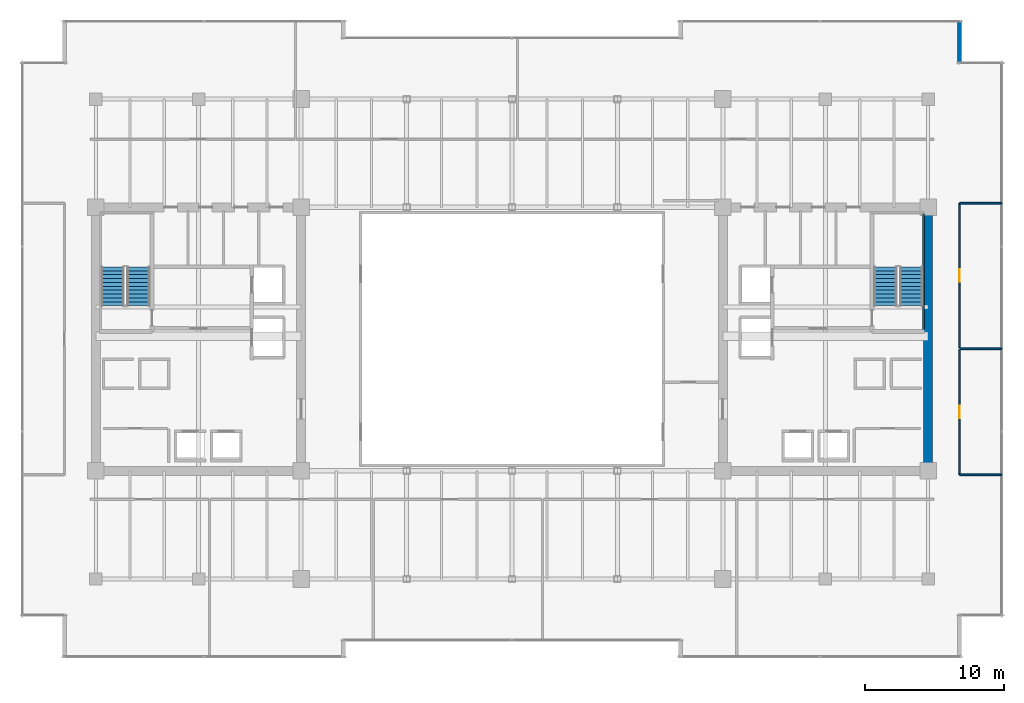
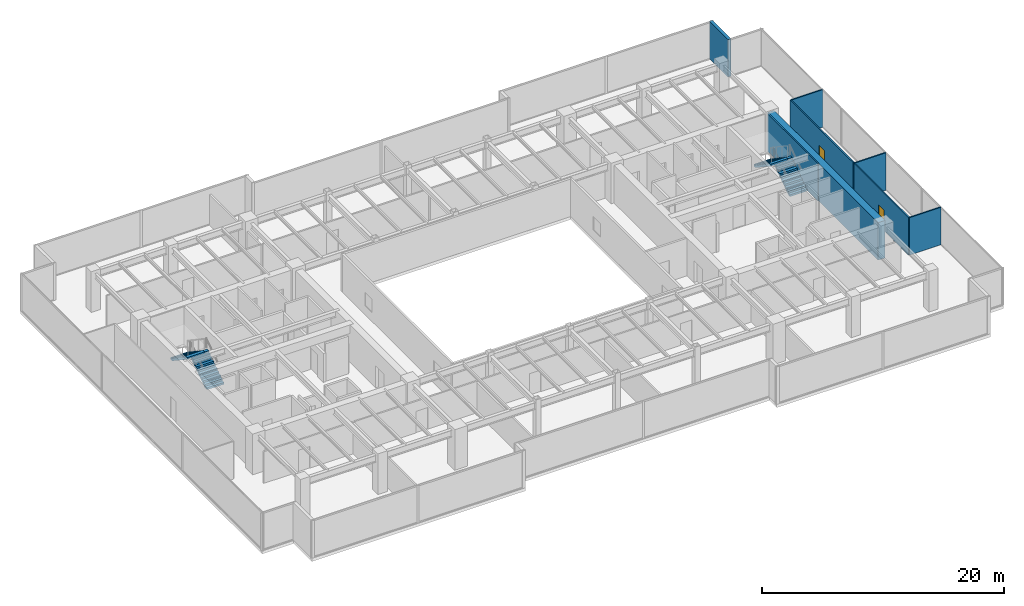
# One storey, part 28 of 30: 8 walls, 4 stair flights, 2 doors, 2 openings, 2 elements without a shape of their own.
"""IFC4 building model written with IfcOpenShell, lengths in metres."""

from ifc_helpers import new_model, si_unit, direction, frame, frame_2d, origin, place, context, subcontext, project, spatial, polyline, rectangle, outline, extrude, source, transform, mapped, material, layer, layer_set, type_object, type_shapes, element, fill, aggregate, save


model = new_model("IFC4")

# Units and contexts
model_context = context("Model", 3, precision=1e-05, world=origin(), true_north=direction((0.0, 1.0)))
body_context = subcontext(model_context, "Body", "Model", "MODEL_VIEW")
ifc_project = project(units=[si_unit("LENGTHUNIT", "METRE"), si_unit("AREAUNIT", "SQUARE_METRE"), si_unit("VOLUMEUNIT", "CUBIC_METRE"), si_unit("PLANEANGLEUNIT", "RADIAN"), si_unit("MASSUNIT", "GRAM", prefix="KILO")], contexts=[model_context])

# Site, building, storey
site_placement = place(None, origin())
site = spatial("IfcSite", under=ifc_project, at=site_placement, CompositionType="ELEMENT")
building_placement = place(site_placement, origin())
building = spatial("IfcBuilding", under=site, at=building_placement, Name="Haelvirn Gate Laboratories", CompositionType="ELEMENT")
storey_placement = place(building_placement, frame((0.0, 0.0, 187.10009765625)))
storey = spatial("IfcBuildingStorey", under=building, at=storey_placement, Name="L45", CompositionType="ELEMENT", Elevation=187.10009765625)

# Walls
ifc_material_1 = material(Name="Thermally-broken bronze aluminium rainscreen & mineral wool", Category="aluminium")
ifc_layer_1 = layer(ifc_material_1, 0.280029296875, Name="EW-TERR-280")
ifc_layer_set_1 = layer_set([ifc_layer_1], Name="Thermally-broken bronze aluminium rainscreen & mineral wool")
wall_type_1 = type_object("IfcWallType", Name="EW-TERR-280", PredefinedType="STANDARD", material=ifc_layer_set_1)
wall_1_placement = place(storey_placement, frame((69.659912109375, 44.2119140625, 0.0), z_axis=(0.0, 0.0, 1.0), x_axis=(0.0, 1.0, 0.0)))
element("IfcWall", 1, at=wall_1_placement, inside=storey, type_object=wall_type_1, Name="L45 Atrium Recess Bronze Return Wall 09", PredefinedType="STANDARD", context=body_context, shape_type="SweptSolid", body=[
    extrude(rectangle(XDim=3.088134765625, YDim=0.280029296875, at=frame_2d((1.5439453125, 0.0))), origin(), (0.0, 0.0, 1.0), 3.789794921875),
])
ifc_material_2 = material(Name="Lightweight acoustic gypsum board partition", Category="gypsum")
ifc_layer_2 = layer(ifc_material_2, 0.1201171875, Name="IW-PART-120")
ifc_layer_set_2 = layer_set([ifc_layer_2], Name="Lightweight acoustic gypsum board partition")
wall_type_2 = type_object("IfcWallType", Name="IW-PART-120", PredefinedType="PARTITIONING", material=ifc_layer_set_2)
for number, where, z_axis, x_axis, name in (
    (2, (69.669921875, 14.514892578125, 0.0), (0.0, 0.0, 1.0), (1.0, 0.0, 0.0), "L45 Interior Wall IW-L45-ECAP-S"),
    (3, (69.669921875, 34.0849609375, 0.0), (0.0, 0.0, 1.0), (1.0, 0.0, 0.0), "L45 Interior Wall IW-L45-ECAP-N"),
):
    element("IfcWall", number, at=place(storey_placement, frame(where, z_axis=z_axis, x_axis=x_axis)), inside=storey, type_object=wall_type_2, Name=name, PredefinedType="PARTITIONING", context=body_context, shape_type="SweptSolid", body=[
        extrude(rectangle(XDim=3.02001953125, YDim=0.1201171875, at=frame_2d((1.510009765625, 0.0))), origin(), (0.0, 0.0, 1.0), 3.789794921875),
    ])

# Wall, opening, door
wall_2_placement = place(storey_placement, frame((69.669921875, 14.514892578125, 0.0), z_axis=(0.0, 0.0, 1.0), x_axis=(0.0, 1.0, 0.0)))
wall_2 = element("IfcWall", 4, at=wall_2_placement, inside=storey, type_object=wall_type_2, Name="L45 Interior Wall IW-L45-EPASS-01", PredefinedType="PARTITIONING", context=body_context, shape_type="SweptSolid", body=[
    extrude(rectangle(XDim=9.025146484375, YDim=0.1201171875, at=frame_2d((4.5126953125, 0.0))), origin(), (0.0, 0.0, 1.0), 3.789794921875),
])
opening_1_placement = place(wall_2_placement, frame((4.0625, 0.0, 0.0)))
opening_1 = element("IfcOpeningElement", 5, at=opening_1_placement, cuts=wall_2, Name="Opening D4", PredefinedType="OPENING", context=body_context, shape_type="SweptSolid", body=[
    extrude(rectangle(XDim=0.89990234375, YDim=2.10009765625, at=frame_2d((0.449951171875, 1.050048828125))), frame((0.0, 0.070068359375, 0.0), z_axis=(0.0, -1.0, 0.0), x_axis=(1.0, 0.0, 0.0)), (0.0, 0.0, 1.0), 0.14013671875),
])
ifc_material_3 = material(Name="Glazed aluminium-framed write-up door", Category="aluminium")
door_type = type_object("IfcDoorType", Name="DR-OFF-900", OperationType="NOTDEFINED", PredefinedType="DOOR", material=ifc_material_3)
shared_shape_1 = source(origin(), body_context, "Body", "SweptSolid", [
    extrude(rectangle(XDim=0.89990234375, YDim=2.10009765625, at=frame_2d((0.449951171875, 1.050048828125))), frame((0.0, 0.02490234375, 0.0), z_axis=(0.0, -1.0, 0.0), x_axis=(1.0, 0.0, 0.0)), (0.0, 0.0, 1.0), 0.050048828125),
])
type_shapes(door_type, [shared_shape_1])
door_1_placement = place(opening_1_placement, origin())
door_1 = element("IfcDoor", 6, at=door_1_placement, inside=storey, type_object=door_type, Name="L45 Protocol Briefing Training Room Door E1", OperationType="SINGLE_SWING_LEFT", OverallHeight=2.10009765625, OverallWidth=0.89990234375, PredefinedType="DOOR", context=body_context, shape_type="MappedRepresentation", body=[
    mapped(shared_shape_1, transform((0.0, 0.0, 0.0), scale=1.0)),
])
fill(opening_1, door_1)

# Wall
wall_3_placement = place(storey_placement, frame((69.669921875, 23.60009765625, 0.0), z_axis=(0.0, 0.0, 1.0), x_axis=(1.0, 0.0, 0.0)))
element("IfcWall", 7, at=wall_3_placement, inside=storey, type_object=wall_type_2, Name="L45 Interior Wall IW-L45-EDIV-01", PredefinedType="PARTITIONING", context=body_context, shape_type="SweptSolid", body=[
    extrude(rectangle(XDim=3.02001953125, YDim=0.1201171875, at=frame_2d((1.510009765625, 0.0))), origin(), (0.0, 0.0, 1.0), 3.789794921875),
])

# Wall, opening, door
wall_4_placement = place(storey_placement, frame((69.669921875, 23.659912109375, 0.0), z_axis=(0.0, 0.0, 1.0), x_axis=(0.0, 1.0, 0.0)))
wall_4 = element("IfcWall", 8, at=wall_4_placement, inside=storey, type_object=wall_type_2, Name="L45 Interior Wall IW-L45-EPASS-02", PredefinedType="PARTITIONING", context=body_context, shape_type="SweptSolid", body=[
    extrude(rectangle(XDim=10.425048828125, YDim=0.1201171875, at=frame_2d((5.21240234375, 0.0))), origin(), (0.0, 0.0, 1.0), 3.789794921875),
])
opening_2_placement = place(wall_4_placement, frame((4.762451171875, 0.0, 0.0)))
opening_2 = element("IfcOpeningElement", 9, at=opening_2_placement, cuts=wall_4, Name="Opening D4", PredefinedType="OPENING", context=body_context, shape_type="SweptSolid", body=[
    extrude(rectangle(XDim=0.89990234375, YDim=2.10009765625, at=frame_2d((0.449951171875, 1.050048828125))), frame((0.0, 0.070068359375, 0.0), z_axis=(0.0, -1.0, 0.0), x_axis=(1.0, 0.0, 0.0)), (0.0, 0.0, 1.0), 0.14013671875),
])
door_2_placement = place(opening_2_placement, origin())
door_2 = element("IfcDoor", 10, at=door_2_placement, inside=storey, type_object=door_type, Name="L45 Researcher Break Pantry Door E2", OperationType="SINGLE_SWING_RIGHT", OverallHeight=2.10009765625, OverallWidth=0.89990234375, PredefinedType="DOOR", context=body_context, shape_type="MappedRepresentation", body=[
    mapped(shared_shape_1, transform((0.0, 0.0, 0.0), scale=1.0)),
])
fill(opening_2, door_2)

# Walls
ifc_material_4 = material(Name="Concrete C60/75", Category="concrete")
ifc_layer_3 = layer(ifc_material_4, 0.64990234375, Name="SW-CORE-650")
ifc_layer_set_3 = layer_set([ifc_layer_3], Name="Concrete C60/75")
wall_type_3 = type_object("IfcWallType", Name="SW-CORE-650", PredefinedType="SHEAR", material=ifc_layer_set_3)
wall_5_placement = place(storey_placement, frame((67.39990234375, 15.125, 0.0), z_axis=(0.0, 0.0, 1.0), x_axis=(0.0, 1.0, 0.0)))
element("IfcWall", 11, at=wall_5_placement, inside=storey, type_object=wall_type_3, Name="L45 E Core Shear Wall E", PredefinedType="SHEAR", context=body_context, shape_type="SweptSolid", body=[
    extrude(rectangle(XDim=18.35009765625, YDim=0.64990234375, at=frame_2d((9.175048828125, 0.0))), origin(), (0.0, 0.0, 1.0), 3.789794921875),
])
ifc_material_5 = material(Name="Concrete C50/60", Category="concrete")
ifc_layer_4 = layer(ifc_material_5, 0.1201171875, Name="SW-LINER-120")
ifc_layer_set_4 = layer_set([ifc_layer_4], Name="Concrete C50/60")
wall_type_4 = type_object("IfcWallType", Name="SW-LINER-120", PredefinedType="SOLIDWALL", material=ifc_layer_set_4)
wall_6_placement = place(storey_placement, frame((67.070068359375, 25.0, 0.0), z_axis=(0.0, 0.0, 1.0), x_axis=(0.0, 1.0, 0.0)))
element("IfcWall", 12, at=wall_6_placement, inside=storey, type_object=wall_type_4, Name="L45 E Core Stair Shaft Liner Wall OUT", PredefinedType="SOLIDWALL", context=body_context, shape_type="SweptSolid", body=[
    extrude(rectangle(XDim=8.320068359375, YDim=0.1201171875, at=frame_2d((4.16015625, 0.0))), origin(), (0.0, 0.0, 1.0), 3.789794921875),
])

# Stair, stair flights
ifc_material_6 = material(Name="Concrete C40/50", Category="concrete")
stair_type = type_object("IfcStairType", Name="ST-DOG-1650-R22", PredefinedType="HALF_TURN_STAIR", material=ifc_material_6)
stair_1_placement = place(storey_placement, origin())
stair_1 = element("IfcStair", 13, at=stair_1_placement, inside=storey, type_object=stair_type, Name="L45 Escape Stair ST1", PredefinedType="HALF_TURN_STAIR")
stair_flight_type = type_object("IfcStairFlightType", Name="STF-1650-R11", PredefinedType="STRAIGHT", material=ifc_material_6)
shared_shape_2 = source(origin(), body_context, "Body", "SweptSolid", [
    extrude(outline(polyline([(0.0, 0.0), (0.0, 0.186279296875), (0.280029296875, 0.186279296875), (0.280029296875, 0.372802734375), (0.56005859375, 0.372802734375), (0.56005859375, 0.55908203125), (0.840087890625, 0.55908203125), (0.840087890625, 0.745361328125), (1.1201171875, 0.745361328125), (1.1201171875, 0.931884765625), (1.39990234375, 0.931884765625), (1.39990234375, 1.1181640625), (1.679931640625, 1.1181640625), (1.679931640625, 1.304443359375), (1.9599609375, 1.304443359375), (1.9599609375, 1.490966796875), (2.239990234375, 1.490966796875), (2.239990234375, 1.67724609375), (2.52001953125, 1.67724609375), (2.52001953125, 1.863525390625), (2.800048828125, 1.863525390625), (2.800048828125, 2.050048828125), (2.800048828125, 1.671630859375), (0.28857421875, 0.0), (0.0, 0.0)])), frame((0.0, 0.824951171875, 0.0), z_axis=(0.0, -1.0, 0.0), x_axis=(1.0, 0.0, 0.0)), (0.0, 0.0, 1.0), 1.64990234375),
])
type_shapes(stair_flight_type, [shared_shape_2])
stair_flight_1_placement = place(storey_placement, frame((10.47509765625, 26.699951171875, 0.0), z_axis=(0.0, 0.0, 1.0), x_axis=(0.0, 1.0, 0.0)))
stair_flight_1 = element("IfcStairFlight", 14, at=stair_flight_1_placement, type_object=stair_flight_type, Name="ST1 flight 1", NumberOfRisers=11, NumberOfTreads=10, PredefinedType="STRAIGHT", RiserHeight=0.186363636, TreadLength=0.28, context=body_context, shape_type="MappedRepresentation", body=[
    mapped(shared_shape_2, transform((0.0, 0.0, 0.0), scale=1.0)),
])
stair_flight_2_placement = place(storey_placement, frame((8.625, 29.5, 2.0498046875), z_axis=(0.0, 0.0, 1.0), x_axis=(0.0, -1.0, 0.0)))
stair_flight_2 = element("IfcStairFlight", 15, at=stair_flight_2_placement, type_object=stair_flight_type, Name="ST1 flight 2", NumberOfRisers=11, NumberOfTreads=10, PredefinedType="STRAIGHT", RiserHeight=0.186363636, TreadLength=0.28, context=body_context, shape_type="MappedRepresentation", body=[
    mapped(shared_shape_2, transform((0.0, 0.0, 0.0), scale=1.0)),
])
aggregate(stair_1, [stair_flight_1, stair_flight_2])

stair_2_placement = place(storey_placement, origin())
stair_2 = element("IfcStair", 16, at=stair_2_placement, inside=storey, type_object=stair_type, Name="L45 Escape Stair ST2", PredefinedType="HALF_TURN_STAIR")
stair_flight_3_placement = place(storey_placement, frame((66.175048828125, 26.699951171875, 0.0), z_axis=(0.0, 0.0, 1.0), x_axis=(0.0, 1.0, 0.0)))
stair_flight_3 = element("IfcStairFlight", 17, at=stair_flight_3_placement, type_object=stair_flight_type, Name="ST2 flight 1", NumberOfRisers=11, NumberOfTreads=10, PredefinedType="STRAIGHT", RiserHeight=0.186363636, TreadLength=0.28, context=body_context, shape_type="MappedRepresentation", body=[
    mapped(shared_shape_2, transform((0.0, 0.0, 0.0), scale=1.0)),
])
stair_flight_4_placement = place(storey_placement, frame((64.324951171875, 29.5, 2.0498046875), z_axis=(0.0, 0.0, 1.0), x_axis=(0.0, -1.0, 0.0)))
stair_flight_4 = element("IfcStairFlight", 18, at=stair_flight_4_placement, type_object=stair_flight_type, Name="ST2 flight 2", NumberOfRisers=11, NumberOfTreads=10, PredefinedType="STRAIGHT", RiserHeight=0.186363636, TreadLength=0.28, context=body_context, shape_type="MappedRepresentation", body=[
    mapped(shared_shape_2, transform((0.0, 0.0, 0.0), scale=1.0)),
])
aggregate(stair_2, [stair_flight_3, stair_flight_4])

save(model, "model.ifc")
